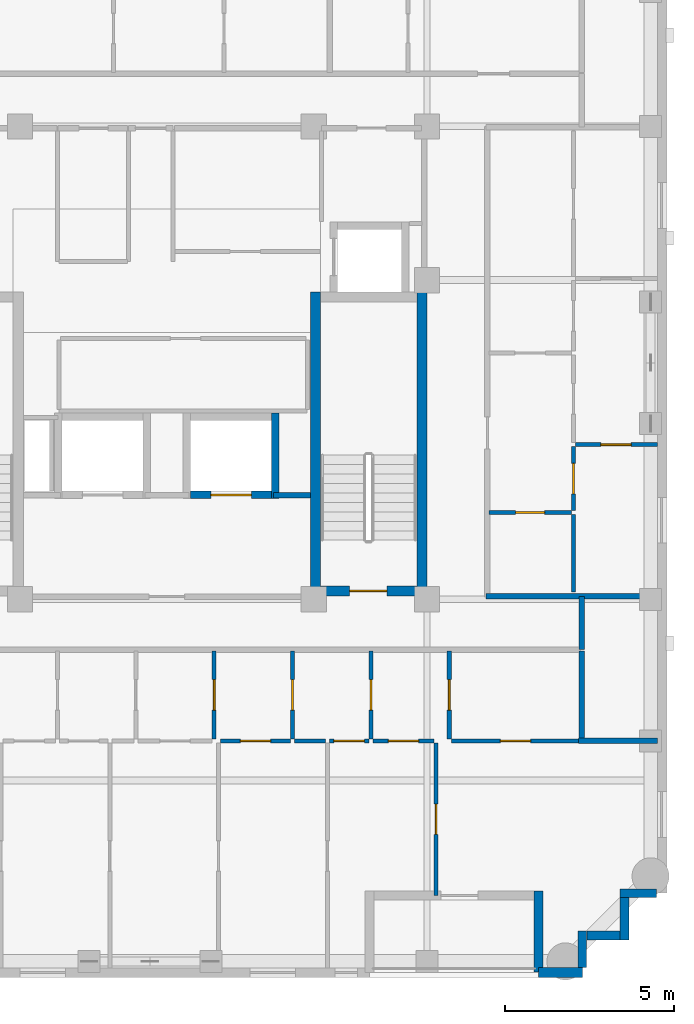
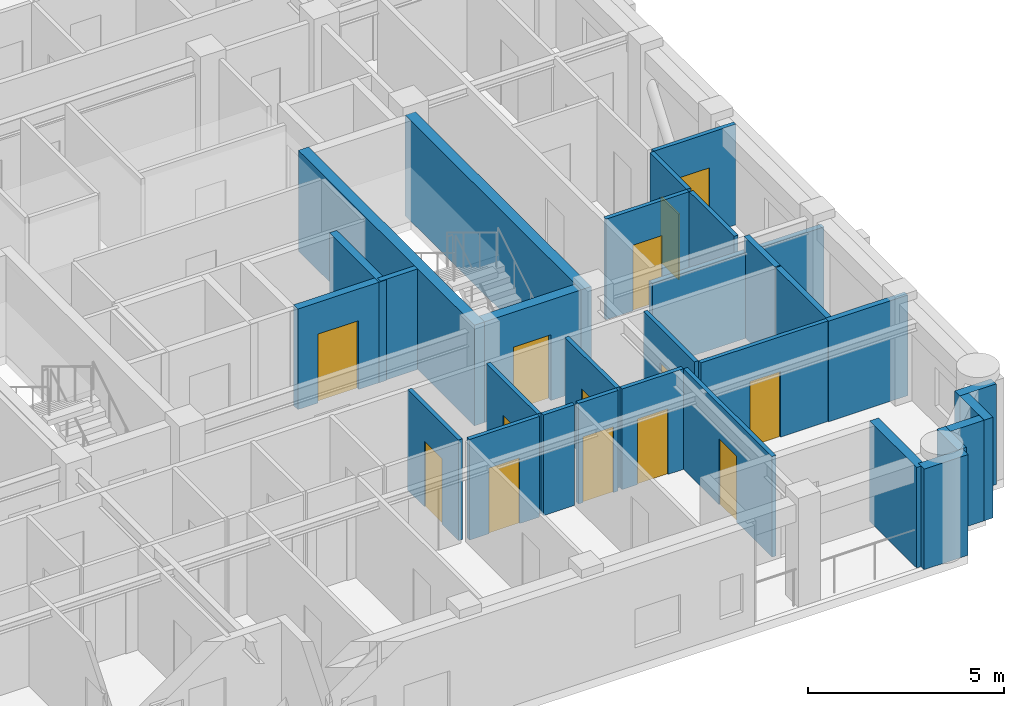
# One storey, part 4 of 11: 30 walls, 14 doors, 14 openings.
"""IFC4 building model written with IfcOpenShell, lengths in metres."""

from ifc_helpers import new_model, si_unit, derived_unit, direction, frame, frame_2d, origin, place, context, subcontext, project, spatial, rectangle, extrude, material, layer, layer_set, type_object, element, fill, save


model = new_model("IFC4")

# Units and contexts
model_context = context("Model", 3, precision=1e-05, world=origin(), true_north=direction((0.0, 1.0)))
body_context = subcontext(model_context, "Body", "Model", "MODEL_VIEW")
ifc_project = project(units=[si_unit("LENGTHUNIT", "METRE"), si_unit("AREAUNIT", "SQUARE_METRE"), si_unit("VOLUMEUNIT", "CUBIC_METRE"), si_unit("PLANEANGLEUNIT", "RADIAN"), si_unit("MASSUNIT", "GRAM", prefix="KILO"), derived_unit("THERMALTRANSMITTANCEUNIT", [(si_unit("MASSUNIT", "GRAM", prefix="KILO"), 1), (si_unit("TIMEUNIT", "SECOND"), -3), (si_unit("THERMODYNAMICTEMPERATUREUNIT", "KELVIN"), -1)])], contexts=[model_context])

# Site, building, storey
site_placement = place(None, origin())
site = spatial("IfcSite", under=ifc_project, at=site_placement, CompositionType="ELEMENT")
building_placement = place(site_placement, origin())
building = spatial("IfcBuilding", under=site, at=building_placement, Name="Korrvale Station Residences", CompositionType="ELEMENT")
storey_placement = place(building_placement, frame((0.0, 0.0, 224.10009765625)))
storey = spatial("IfcBuildingStorey", under=building, at=storey_placement, Name="L65", CompositionType="ELEMENT", Elevation=224.10009765625)

# Walls
ifc_material_1 = material(Name="Concrete C50/60", Category="concrete")
ifc_layer_1 = layer(ifc_material_1, 0.300048828125, Name="Concrete C50/60")
ifc_layer_set_1 = layer_set([ifc_layer_1], Name="Concrete C50/60")
wall_type_1 = type_object("IfcWallType", Name="WAL-CORE-300-C50", PredefinedType="SHEAR", material=ifc_layer_set_1)
for number, where, z_axis, x_axis, name in (
    (1, (29.89990234375, 15.10009765625, 0.0), (0.0, 0.0, 1.0), (0.0, 1.0, 0.0), "L65 ST-2 Core Shear Wall West"),
    (2, (33.050048828125, 15.10009765625, 0.0), (0.0, 0.0, 1.0), (0.0, 1.0, 0.0), "L65 ST-2 Core Shear Wall East"),
):
    element("IfcWall", number, at=place(storey_placement, frame(where, z_axis=z_axis, x_axis=x_axis)), inside=storey, type_object=wall_type_1, Name=name, PredefinedType="SHEAR", context=body_context, shape_type="SweptSolid", body=[
        extrude(rectangle(XDim=9.0, YDim=0.300048828125, at=frame_2d((4.5, 0.0))), origin(), (0.0, 0.0, 1.0), 3.139892578125),
    ])

# Wall, opening, door
wall_1_placement = place(storey_placement, frame((30.050048828125, 15.25, 0.0), z_axis=(0.0, 0.0, 1.0), x_axis=(1.0, 0.0, 0.0)))
wall_1 = element("IfcWall", 3, at=wall_1_placement, inside=storey, type_object=wall_type_1, Name="L65 ST-2 Core Shear Wall South", PredefinedType="SHEAR", context=body_context, shape_type="SweptSolid", body=[
    extrude(rectangle(XDim=2.849853515625, YDim=0.300048828125, at=frame_2d((1.4248046875, 0.0))), origin(), (0.0, 0.0, 1.0), 3.139892578125),
])
opening_1_placement = place(wall_1_placement, frame((0.860107421875, 0.0, 0.0)))
opening_1 = element("IfcOpeningElement", 4, at=opening_1_placement, cuts=wall_1, Name="Opening SD-1100", PredefinedType="OPENING", context=body_context, shape_type="SweptSolid", body=[
    extrude(rectangle(XDim=1.10009765625, YDim=2.050048828125, at=frame_2d((0.550048828125, 1.02490234375))), frame((0.0, 0.16015625, 0.0), z_axis=(0.0, -1.0, 0.0), x_axis=(1.0, 0.0, 0.0)), (0.0, 0.0, 1.0), 0.320068359375),
])
ifc_material_2 = material(Name="Hollow-metal fire-rated stair door with closer", Category="steel")
door_type_1 = type_object("IfcDoorType", Name="DR-STAIR-1100", OperationType="NOTDEFINED", PredefinedType="DOOR", material=ifc_material_2)
door_1_placement = place(opening_1_placement, origin())
door_1 = element("IfcDoor", 5, at=door_1_placement, inside=storey, type_object=door_type_1, Name="L65 ST-2 Exit Stair Door", OperationType="SINGLE_SWING_RIGHT", OverallHeight=2.050048828125, OverallWidth=1.10009765625, PredefinedType="DOOR", context=body_context, shape_type="SweptSolid", body=[
    extrude(rectangle(XDim=1.10009765625, YDim=2.050048828125, at=frame_2d((0.550048828125, 1.02490234375))), frame((0.0, 0.02490234375, 0.0), z_axis=(0.0, -1.0, 0.0), x_axis=(1.0, 0.0, 0.0)), (0.0, 0.0, 1.0), 0.050048828125),
])
fill(opening_1, door_1)

# Walls
ifc_material_3 = material(Name="Precast concrete C45/55", Category="concrete")
ifc_layer_2 = layer(ifc_material_3, 0.260009765625, Name="Precast concrete C45/55")
ifc_layer_set_2 = layer_set([ifc_layer_2], Name="Precast concrete C45/55")
wall_type_2 = type_object("IfcWallType", Name="WAL-EXT-LOG260", PredefinedType="SOLIDWALL", material=ifc_layer_set_2)
wall_2_placement = place(storey_placement, frame((36.5, 3.9599609375, 0.0), z_axis=(0.0, 0.0, 1.0), x_axis=(0.0, 1.0, 0.0)))
element("IfcWall", 6, at=wall_2_placement, inside=storey, type_object=wall_type_2, Name="L65 Recessed Loggia Wall BAL-L65-S2-L", PredefinedType="SOLIDWALL", context=body_context, shape_type="SweptSolid", body=[
    extrude(rectangle(XDim=2.400146484375, YDim=0.260009765625, at=frame_2d((1.2001953125, 0.0))), origin(), (0.0, 0.0, 1.0), 3.139892578125),
])
wall_3_placement = place(storey_placement, frame((39.998046875, 6.300048828125, 0.0), z_axis=(0.0, 0.0, 1.0), x_axis=(-1.0, 0.0, 0.0)))
element("IfcWall", 7, at=wall_3_placement, inside=storey, type_object=wall_type_2, Name="L65 Serrated Corner Precast Step SE-1", PredefinedType="SOLIDWALL", context=body_context, shape_type="SweptSolid", body=[
    extrude(rectangle(XDim=1.078125, YDim=0.260009765625, at=frame_2d((0.5390625, 0.0))), origin(), (0.0, 0.0, 1.0), 3.139892578125),
])
wall_4_placement = place(storey_placement, frame((39.050048828125, 6.16796875, 0.0), z_axis=(0.0, 0.0, 1.0), x_axis=(0.0, -1.0, 0.0)))
element("IfcWall", 8, at=wall_4_placement, inside=storey, type_object=wall_type_2, Name="L65 Serrated Corner Precast Step SE-2", PredefinedType="SOLIDWALL", context=body_context, shape_type="SweptSolid", body=[
    extrude(rectangle(XDim=1.248046875, YDim=0.260009765625, at=frame_2d((0.6240234375, 0.0))), origin(), (0.0, 0.0, 1.0), 3.139892578125),
])
wall_5_placement = place(storey_placement, frame((38.91796875, 5.050048828125, 0.0), z_axis=(0.0, 0.0, 1.0), x_axis=(-1.0, 0.0, 0.0)))
element("IfcWall", 9, at=wall_5_placement, inside=storey, type_object=wall_type_2, Name="L65 Serrated Corner Precast Step SE-3", PredefinedType="SOLIDWALL", context=body_context, shape_type="SweptSolid", body=[
    extrude(rectangle(XDim=0.986083984375, YDim=0.260009765625, at=frame_2d((0.4931640625, 0.0))), origin(), (0.0, 0.0, 1.0), 3.139892578125),
])
wall_6_placement = place(storey_placement, frame((37.800048828125, 5.179931640625, 0.0), z_axis=(0.0, 0.0, 1.0), x_axis=(0.0, -1.0, 0.0)))
element("IfcWall", 10, at=wall_6_placement, inside=storey, type_object=wall_type_2, Name="L65 Serrated Corner Precast Step SE-4", PredefinedType="SOLIDWALL", context=body_context, shape_type="SweptSolid", body=[
    extrude(rectangle(XDim=1.077880859375, YDim=0.260009765625, at=frame_2d((0.5390625, 0.0))), origin(), (0.0, 0.0, 1.0), 3.139892578125),
])
ifc_layer_3 = layer(ifc_material_3, 0.300048828125, Name="Precast concrete C45/55")
ifc_layer_set_3 = layer_set([ifc_layer_3], Name="Precast concrete C45/55")
wall_type_3 = type_object("IfcWallType", Name="WAL-EXT-PC300", PredefinedType="SOLIDWALL", material=ifc_layer_set_3)
wall_7_placement = place(storey_placement, frame((37.800048828125, 3.949951171875, 0.0), z_axis=(0.0, 0.0, 1.0), x_axis=(-1.0, 0.0, 0.0)))
element("IfcWall", 11, at=wall_7_placement, inside=storey, type_object=wall_type_3, Name="L65 South Exterior Precast Wall 1", PredefinedType="SOLIDWALL", context=body_context, shape_type="SweptSolid", body=[
    extrude(rectangle(XDim=1.300048828125, YDim=0.300048828125, at=frame_2d((0.64990234375, 0.0))), origin(), (0.0, 0.0, 1.0), 3.139892578125),
])

# Wall, opening, door
ifc_material_4 = material(Name="Acoustic steel-stud gypsum board partition", Category="steel")
ifc_layer_4 = layer(ifc_material_4, 0.1201171875, Name="Acoustic steel-stud gypsum board partition")
ifc_layer_set_4 = layer_set([ifc_layer_4], Name="Acoustic steel-stud gypsum board partition")
wall_type_4 = type_object("IfcWallType", Name="WAL-PART-125", PredefinedType="PARTITIONING", material=ifc_layer_set_4)
wall_8_placement = place(storey_placement, frame((26.89990234375, 10.8701171875, 0.0), z_axis=(0.0, 0.0, 1.0), x_axis=(0.0, 1.0, 0.0)))
wall_8 = element("IfcWall", 12, at=wall_8_placement, inside=storey, type_object=wall_type_4, Name="L65 Suite Partition U01-V45", PredefinedType="PARTITIONING", context=body_context, shape_type="SweptSolid", body=[
    extrude(rectangle(XDim=2.599853515625, YDim=0.1201171875, at=frame_2d((1.2998046875, 0.0))), origin(), (0.0, 0.0, 1.0), 3.139892578125),
])
opening_2_placement = place(wall_8_placement, frame((0.85009765625, 0.0, 0.0)))
opening_2 = element("IfcOpeningElement", 13, at=opening_2_placement, cuts=wall_8, Name="Opening DI-900", PredefinedType="OPENING", context=body_context, shape_type="SweptSolid", body=[
    extrude(rectangle(XDim=0.89990234375, YDim=2.050048828125, at=frame_2d((0.449951171875, 1.02490234375))), frame((0.0, 0.070068359375, 0.0), z_axis=(0.0, -1.0, 0.0), x_axis=(1.0, 0.0, 0.0)), (0.0, 0.0, 1.0), 0.14013671875),
])
ifc_material_5 = material(Name="Painted solid-core timber interior room door", Category="wood")
door_type_2 = type_object("IfcDoorType", Name="DR-INT-900", OperationType="NOTDEFINED", PredefinedType="DOOR", material=ifc_material_5)
door_2_placement = place(opening_2_placement, origin())
door_2 = element("IfcDoor", 14, at=door_2_placement, inside=storey, type_object=door_type_2, Name="L65 Studio Apartment L65-U01 Wardrobe Storage Room Door", OperationType="SINGLE_SWING_LEFT", OverallHeight=2.050048828125, OverallWidth=0.89990234375, PredefinedType="DOOR", context=body_context, shape_type="SweptSolid", body=[
    extrude(rectangle(XDim=0.89990234375, YDim=2.050048828125, at=frame_2d((0.449951171875, 1.02490234375))), frame((0.0, 0.02490234375, 0.0), z_axis=(0.0, -1.0, 0.0), x_axis=(1.0, 0.0, 0.0)), (0.0, 0.0, 1.0), 0.050048828125),
])
fill(opening_2, door_2)

wall_9_placement = place(storey_placement, frame((29.219970703125, 10.8701171875, 0.0), z_axis=(0.0, 0.0, 1.0), x_axis=(0.0, 1.0, 0.0)))
wall_9 = element("IfcWall", 15, at=wall_9_placement, inside=storey, type_object=wall_type_4, Name="L65 Suite Partition U01-V56", PredefinedType="PARTITIONING", context=body_context, shape_type="SweptSolid", body=[
    extrude(rectangle(XDim=2.599853515625, YDim=0.1201171875, at=frame_2d((1.2998046875, 0.0))), origin(), (0.0, 0.0, 1.0), 3.139892578125),
])
opening_3_placement = place(wall_9_placement, frame((0.85009765625, 0.0, 0.0)))
opening_3 = element("IfcOpeningElement", 16, at=opening_3_placement, cuts=wall_9, Name="Opening DI-900", PredefinedType="OPENING", context=body_context, shape_type="SweptSolid", body=[
    extrude(rectangle(XDim=0.89990234375, YDim=2.050048828125, at=frame_2d((0.449951171875, 1.02490234375))), frame((0.0, 0.070068359375, 0.0), z_axis=(0.0, -1.0, 0.0), x_axis=(1.0, 0.0, 0.0)), (0.0, 0.0, 1.0), 0.14013671875),
])
door_3_placement = place(opening_3_placement, origin())
door_3 = element("IfcDoor", 17, at=door_3_placement, inside=storey, type_object=door_type_2, Name="L65 Studio Apartment L65-U01 Wardrobe Storage Room Door", OperationType="SINGLE_SWING_LEFT", OverallHeight=2.050048828125, OverallWidth=0.89990234375, PredefinedType="DOOR", context=body_context, shape_type="SweptSolid", body=[
    extrude(rectangle(XDim=0.89990234375, YDim=2.050048828125, at=frame_2d((0.449951171875, 1.02490234375))), frame((0.0, 0.02490234375, 0.0), z_axis=(0.0, -1.0, 0.0), x_axis=(1.0, 0.0, 0.0)), (0.0, 0.0, 1.0), 0.050048828125),
])
fill(opening_3, door_3)

wall_10_placement = place(storey_placement, frame((27.090087890625, 10.81005859375, 0.0), z_axis=(0.0, 0.0, 1.0), x_axis=(1.0, 0.0, 0.0)))
wall_10 = element("IfcWall", 18, at=wall_10_placement, inside=storey, type_object=wall_type_4, Name="L65 Suite Partition U01-H514", PredefinedType="PARTITIONING", context=body_context, shape_type="SweptSolid", body=[
    extrude(rectangle(XDim=2.06982421875, YDim=0.1201171875, at=frame_2d((1.034912109375, 0.0))), origin(), (0.0, 0.0, 1.0), 3.139892578125),
])
opening_4_placement = place(wall_10_placement, frame((0.5849609375, 0.0, 0.0)))
opening_4 = element("IfcOpeningElement", 19, at=opening_4_placement, cuts=wall_10, Name="Opening DI-900", PredefinedType="OPENING", context=body_context, shape_type="SweptSolid", body=[
    extrude(rectangle(XDim=0.89990234375, YDim=2.050048828125, at=frame_2d((0.449951171875, 1.02490234375))), frame((0.0, 0.070068359375, 0.0), z_axis=(0.0, -1.0, 0.0), x_axis=(1.0, 0.0, 0.0)), (0.0, 0.0, 1.0), 0.14013671875),
])
door_4_placement = place(opening_4_placement, origin())
door_4 = element("IfcDoor", 20, at=door_4_placement, inside=storey, type_object=door_type_2, Name="L65 Studio Apartment L65-U01 Wardrobe Storage Room Door", OperationType="SINGLE_SWING_RIGHT", OverallHeight=2.050048828125, OverallWidth=0.89990234375, PredefinedType="DOOR", context=body_context, shape_type="SweptSolid", body=[
    extrude(rectangle(XDim=0.89990234375, YDim=2.050048828125, at=frame_2d((0.449951171875, 1.02490234375))), frame((0.0, 0.02490234375, 0.0), z_axis=(0.0, -1.0, 0.0), x_axis=(1.0, 0.0, 0.0)), (0.0, 0.0, 1.0), 0.050048828125),
])
fill(opening_4, door_4)

wall_11_placement = place(storey_placement, frame((31.5400390625, 10.8701171875, 0.0), z_axis=(0.0, 0.0, 1.0), x_axis=(0.0, 1.0, 0.0)))
wall_11 = element("IfcWall", 21, at=wall_11_placement, inside=storey, type_object=wall_type_4, Name="L65 Suite Partition U01-V67", PredefinedType="PARTITIONING", context=body_context, shape_type="SweptSolid", body=[
    extrude(rectangle(XDim=2.599853515625, YDim=0.1201171875, at=frame_2d((1.2998046875, 0.0))), origin(), (0.0, 0.0, 1.0), 3.139892578125),
])
opening_5_placement = place(wall_11_placement, frame((0.85009765625, 0.0, 0.0)))
opening_5 = element("IfcOpeningElement", 22, at=opening_5_placement, cuts=wall_11, Name="Opening DI-900", PredefinedType="OPENING", context=body_context, shape_type="SweptSolid", body=[
    extrude(rectangle(XDim=0.89990234375, YDim=2.050048828125, at=frame_2d((0.449951171875, 1.02490234375))), frame((0.0, 0.070068359375, 0.0), z_axis=(0.0, -1.0, 0.0), x_axis=(1.0, 0.0, 0.0)), (0.0, 0.0, 1.0), 0.14013671875),
])
door_5_placement = place(opening_5_placement, origin())
door_5 = element("IfcDoor", 23, at=door_5_placement, inside=storey, type_object=door_type_2, Name="L65 Studio Apartment L65-U01 Wardrobe Storage Room Door", OperationType="SINGLE_SWING_LEFT", OverallHeight=2.050048828125, OverallWidth=0.89990234375, PredefinedType="DOOR", context=body_context, shape_type="SweptSolid", body=[
    extrude(rectangle(XDim=0.89990234375, YDim=2.050048828125, at=frame_2d((0.449951171875, 1.02490234375))), frame((0.0, 0.02490234375, 0.0), z_axis=(0.0, -1.0, 0.0), x_axis=(1.0, 0.0, 0.0)), (0.0, 0.0, 1.0), 0.050048828125),
])
fill(opening_5, door_5)

# Wall
wall_12_placement = place(storey_placement, frame((29.280029296875, 10.81005859375, 0.0), z_axis=(0.0, 0.0, 1.0), x_axis=(1.0, 0.0, 0.0)))
element("IfcWall", 24, at=wall_12_placement, inside=storey, type_object=wall_type_4, Name="L65 Suite Partition U01-H614", PredefinedType="PARTITIONING", context=body_context, shape_type="SweptSolid", body=[
    extrude(rectangle(XDim=0.909912109375, YDim=0.1201171875, at=frame_2d((0.455078125, 0.0))), origin(), (0.0, 0.0, 1.0), 3.139892578125),
])

# Wall, opening, door
wall_13_placement = place(storey_placement, frame((30.31005859375, 10.81005859375, 0.0), z_axis=(0.0, 0.0, 1.0), x_axis=(1.0, 0.0, 0.0)))
wall_13 = element("IfcWall", 25, at=wall_13_placement, inside=storey, type_object=wall_type_4, Name="L65 Suite Partition U01-H615", PredefinedType="PARTITIONING", context=body_context, shape_type="SweptSolid", body=[
    extrude(rectangle(XDim=1.169921875, YDim=0.1201171875, at=frame_2d((0.5849609375, 0.0))), origin(), (0.0, 0.0, 1.0), 3.139892578125),
])
opening_6_placement = place(wall_13_placement, frame((0.135009765625, 0.0, 0.0)))
opening_6 = element("IfcOpeningElement", 26, at=opening_6_placement, cuts=wall_13, Name="Opening DI-900", PredefinedType="OPENING", context=body_context, shape_type="SweptSolid", body=[
    extrude(rectangle(XDim=0.89990234375, YDim=2.050048828125, at=frame_2d((0.449951171875, 1.02490234375))), frame((0.0, 0.070068359375, 0.0), z_axis=(0.0, -1.0, 0.0), x_axis=(1.0, 0.0, 0.0)), (0.0, 0.0, 1.0), 0.14013671875),
])
door_6_placement = place(opening_6_placement, origin())
door_6 = element("IfcDoor", 27, at=door_6_placement, inside=storey, type_object=door_type_2, Name="L65 Studio Apartment L65-U01 Wardrobe Storage Room Door", OperationType="SINGLE_SWING_RIGHT", OverallHeight=2.050048828125, OverallWidth=0.89990234375, PredefinedType="DOOR", context=body_context, shape_type="SweptSolid", body=[
    extrude(rectangle(XDim=0.89990234375, YDim=2.050048828125, at=frame_2d((0.449951171875, 1.02490234375))), frame((0.0, 0.02490234375, 0.0), z_axis=(0.0, -1.0, 0.0), x_axis=(1.0, 0.0, 0.0)), (0.0, 0.0, 1.0), 0.050048828125),
])
fill(opening_6, door_6)

wall_14_placement = place(storey_placement, frame((33.860107421875, 10.8701171875, 0.0), z_axis=(0.0, 0.0, 1.0), x_axis=(0.0, 1.0, 0.0)))
wall_14 = element("IfcWall", 28, at=wall_14_placement, inside=storey, type_object=wall_type_4, Name="L65 Suite Partition U01-V78", PredefinedType="PARTITIONING", context=body_context, shape_type="SweptSolid", body=[
    extrude(rectangle(XDim=2.599853515625, YDim=0.1201171875, at=frame_2d((1.2998046875, 0.0))), origin(), (0.0, 0.0, 1.0), 3.139892578125),
])
opening_7_placement = place(wall_14_placement, frame((0.85009765625, 0.0, 0.0)))
opening_7 = element("IfcOpeningElement", 29, at=opening_7_placement, cuts=wall_14, Name="Opening DI-900", PredefinedType="OPENING", context=body_context, shape_type="SweptSolid", body=[
    extrude(rectangle(XDim=0.89990234375, YDim=2.050048828125, at=frame_2d((0.449951171875, 1.02490234375))), frame((0.0, 0.070068359375, 0.0), z_axis=(0.0, -1.0, 0.0), x_axis=(1.0, 0.0, 0.0)), (0.0, 0.0, 1.0), 0.14013671875),
])
door_7_placement = place(opening_7_placement, origin())
door_7 = element("IfcDoor", 30, at=door_7_placement, inside=storey, type_object=door_type_2, Name="L65 Studio Apartment L65-U01 Wardrobe Storage Room Door", OperationType="SINGLE_SWING_LEFT", OverallHeight=2.050048828125, OverallWidth=0.89990234375, PredefinedType="DOOR", context=body_context, shape_type="SweptSolid", body=[
    extrude(rectangle(XDim=0.89990234375, YDim=2.050048828125, at=frame_2d((0.449951171875, 1.02490234375))), frame((0.0, 0.02490234375, 0.0), z_axis=(0.0, -1.0, 0.0), x_axis=(1.0, 0.0, 0.0)), (0.0, 0.0, 1.0), 0.050048828125),
])
fill(opening_7, door_7)

wall_15_placement = place(storey_placement, frame((31.60009765625, 10.81005859375, 0.0), z_axis=(0.0, 0.0, 1.0), x_axis=(1.0, 0.0, 0.0)))
wall_15 = element("IfcWall", 31, at=wall_15_placement, inside=storey, type_object=wall_type_4, Name="L65 Suite Partition U01-H715", PredefinedType="PARTITIONING", context=body_context, shape_type="SweptSolid", body=[
    extrude(rectangle(XDim=1.809814453125, YDim=0.1201171875, at=frame_2d((0.90478515625, 0.0))), origin(), (0.0, 0.0, 1.0), 3.139892578125),
])
opening_8_placement = place(wall_15_placement, frame((0.455078125, 0.0, 0.0)))
opening_8 = element("IfcOpeningElement", 32, at=opening_8_placement, cuts=wall_15, Name="Opening DI-900", PredefinedType="OPENING", context=body_context, shape_type="SweptSolid", body=[
    extrude(rectangle(XDim=0.89990234375, YDim=2.050048828125, at=frame_2d((0.449951171875, 1.02490234375))), frame((0.0, 0.070068359375, 0.0), z_axis=(0.0, -1.0, 0.0), x_axis=(1.0, 0.0, 0.0)), (0.0, 0.0, 1.0), 0.14013671875),
])
door_8_placement = place(opening_8_placement, origin())
door_8 = element("IfcDoor", 33, at=door_8_placement, inside=storey, type_object=door_type_2, Name="L65 Studio Apartment L65-U01 Wardrobe Storage Room Door", OperationType="SINGLE_SWING_RIGHT", OverallHeight=2.050048828125, OverallWidth=0.89990234375, PredefinedType="DOOR", context=body_context, shape_type="SweptSolid", body=[
    extrude(rectangle(XDim=0.89990234375, YDim=2.050048828125, at=frame_2d((0.449951171875, 1.02490234375))), frame((0.0, 0.02490234375, 0.0), z_axis=(0.0, -1.0, 0.0), x_axis=(1.0, 0.0, 0.0)), (0.0, 0.0, 1.0), 0.050048828125),
])
fill(opening_8, door_8)

wall_16_placement = place(storey_placement, frame((33.919921875, 10.81005859375, 0.0), z_axis=(0.0, 0.0, 1.0), x_axis=(1.0, 0.0, 0.0)))
wall_16 = element("IfcWall", 34, at=wall_16_placement, inside=storey, type_object=wall_type_4, Name="L65 Suite Partition U01-H816", PredefinedType="PARTITIONING", context=body_context, shape_type="SweptSolid", body=[
    extrude(rectangle(XDim=3.800048828125, YDim=0.1201171875, at=frame_2d((1.89990234375, 0.0))), origin(), (0.0, 0.0, 1.0), 3.139892578125),
])
opening_9_placement = place(wall_16_placement, frame((1.449951171875, 0.0, 0.0)))
opening_9 = element("IfcOpeningElement", 35, at=opening_9_placement, cuts=wall_16, Name="Opening DI-900", PredefinedType="OPENING", context=body_context, shape_type="SweptSolid", body=[
    extrude(rectangle(XDim=0.89990234375, YDim=2.050048828125, at=frame_2d((0.449951171875, 1.02490234375))), frame((0.0, 0.070068359375, 0.0), z_axis=(0.0, -1.0, 0.0), x_axis=(1.0, 0.0, 0.0)), (0.0, 0.0, 1.0), 0.14013671875),
])
door_9_placement = place(opening_9_placement, origin())
door_9 = element("IfcDoor", 36, at=door_9_placement, inside=storey, type_object=door_type_2, Name="L65 Studio Apartment L65-U01 Utility and Laundry Room Door", OperationType="SINGLE_SWING_LEFT", OverallHeight=2.050048828125, OverallWidth=0.89990234375, PredefinedType="DOOR", context=body_context, shape_type="SweptSolid", body=[
    extrude(rectangle(XDim=0.89990234375, YDim=2.050048828125, at=frame_2d((0.449951171875, 1.02490234375))), frame((0.0, 0.02490234375, 0.0), z_axis=(0.0, -1.0, 0.0), x_axis=(1.0, 0.0, 0.0)), (0.0, 0.0, 1.0), 0.050048828125),
])
fill(opening_9, door_9)

wall_17_placement = place(storey_placement, frame((33.469970703125, 6.22998046875, 0.0), z_axis=(0.0, 0.0, 1.0), x_axis=(0.0, 1.0, 0.0)))
wall_17 = element("IfcWall", 37, at=wall_17_placement, inside=storey, type_object=wall_type_4, Name="L65 Suite Partition U01-V1516", PredefinedType="PARTITIONING", context=body_context, shape_type="SweptSolid", body=[
    extrude(rectangle(XDim=4.52001953125, YDim=0.1201171875, at=frame_2d((2.260009765625, 0.0))), origin(), (0.0, 0.0, 1.0), 3.139892578125),
])
opening_10_placement = place(wall_17_placement, frame((1.81005859375, 0.0, 0.0)))
opening_10 = element("IfcOpeningElement", 38, at=opening_10_placement, cuts=wall_17, Name="Opening DI-900", PredefinedType="OPENING", context=body_context, shape_type="SweptSolid", body=[
    extrude(rectangle(XDim=0.89990234375, YDim=2.050048828125, at=frame_2d((0.449951171875, 1.02490234375))), frame((0.0, 0.070068359375, 0.0), z_axis=(0.0, -1.0, 0.0), x_axis=(1.0, 0.0, 0.0)), (0.0, 0.0, 1.0), 0.14013671875),
])
door_10_placement = place(opening_10_placement, origin())
door_10 = element("IfcDoor", 39, at=door_10_placement, inside=storey, type_object=door_type_2, Name="L65 Studio Apartment L65-U01 Formal Dining Room Door", OperationType="SINGLE_SWING_RIGHT", OverallHeight=2.050048828125, OverallWidth=0.89990234375, PredefinedType="DOOR", context=body_context, shape_type="SweptSolid", body=[
    extrude(rectangle(XDim=0.89990234375, YDim=2.050048828125, at=frame_2d((0.449951171875, 1.02490234375))), frame((0.0, 0.02490234375, 0.0), z_axis=(0.0, -1.0, 0.0), x_axis=(1.0, 0.0, 0.0)), (0.0, 0.0, 1.0), 0.050048828125),
])
fill(opening_10, door_10)

wall_18_placement = place(storey_placement, frame((35.030029296875, 17.570068359375, 0.0), z_axis=(0.0, 0.0, 1.0), x_axis=(1.0, 0.0, 0.0)))
wall_18 = element("IfcWall", 40, at=wall_18_placement, inside=storey, type_object=wall_type_4, Name="L65 Suite Partition U05-H12", PredefinedType="PARTITIONING", context=body_context, shape_type="SweptSolid", body=[
    extrude(rectangle(XDim=2.449951171875, YDim=0.1201171875, at=frame_2d((1.22509765625, 0.0))), origin(), (0.0, 0.0, 1.0), 3.139892578125),
])
opening_11_placement = place(wall_18_placement, frame((0.794921875, 0.0, 0.0)))
opening_11 = element("IfcOpeningElement", 41, at=opening_11_placement, cuts=wall_18, Name="Opening DB-860", PredefinedType="OPENING", context=body_context, shape_type="SweptSolid", body=[
    extrude(rectangle(XDim=0.860107421875, YDim=2.050048828125, at=frame_2d((0.43017578125, 1.02490234375))), frame((0.0, 0.070068359375, 0.0), z_axis=(0.0, -1.0, 0.0), x_axis=(1.0, 0.0, 0.0)), (0.0, 0.0, 1.0), 0.14013671875),
])
ifc_material_6 = material(Name="Moisture-resistant solid-core bathroom door", Category="timber")
door_type_3 = type_object("IfcDoorType", Name="DR-BATH-860", OperationType="NOTDEFINED", PredefinedType="DOOR", material=ifc_material_6)
door_11_placement = place(opening_11_placement, origin())
door_11 = element("IfcDoor", 42, at=door_11_placement, inside=storey, type_object=door_type_3, Name="L65 Apartment 2BR L65-U05 Bathroom Door", OperationType="SINGLE_SWING_RIGHT", OverallHeight=2.050048828125, OverallWidth=0.860107421875, PredefinedType="DOOR", context=body_context, shape_type="SweptSolid", body=[
    extrude(rectangle(XDim=0.860107421875, YDim=2.050048828125, at=frame_2d((0.43017578125, 1.02490234375))), frame((0.0, 0.02490234375, 0.0), z_axis=(0.0, -1.0, 0.0), x_axis=(1.0, 0.0, 0.0)), (0.0, 0.0, 1.0), 0.050048828125),
])
fill(opening_11, door_11)

# Wall
wall_19_placement = place(storey_placement, frame((37.5400390625, 15.2099609375, 0.0), z_axis=(0.0, 0.0, 1.0), x_axis=(0.0, 1.0, 0.0)))
element("IfcWall", 43, at=wall_19_placement, inside=storey, type_object=wall_type_4, Name="L65 Suite Partition U05-V13", PredefinedType="PARTITIONING", context=body_context, shape_type="SweptSolid", body=[
    extrude(rectangle(XDim=2.300048828125, YDim=0.1201171875, at=frame_2d((1.14990234375, 0.0))), origin(), (0.0, 0.0, 1.0), 3.139892578125),
])

# Wall, opening, door
wall_20_placement = place(storey_placement, frame((37.5400390625, 17.6298828125, 0.0), z_axis=(0.0, 0.0, 1.0), x_axis=(0.0, 1.0, 0.0)))
wall_20 = element("IfcWall", 44, at=wall_20_placement, inside=storey, type_object=wall_type_4, Name="L65 Suite Partition U05-V23", PredefinedType="PARTITIONING", context=body_context, shape_type="SweptSolid", body=[
    extrude(rectangle(XDim=1.88818359375, YDim=0.1201171875, at=frame_2d((0.944091796875, 0.0))), origin(), (0.0, 0.0, 1.0), 3.139892578125),
])
opening_12_placement = place(wall_20_placement, frame((0.493896484375, 0.0, 0.0)))
opening_12 = element("IfcOpeningElement", 45, at=opening_12_placement, cuts=wall_20, Name="Opening DI-900", PredefinedType="OPENING", context=body_context, shape_type="SweptSolid", body=[
    extrude(rectangle(XDim=0.89990234375, YDim=2.050048828125, at=frame_2d((0.449951171875, 1.02490234375))), frame((0.0, 0.070068359375, 0.0), z_axis=(0.0, -1.0, 0.0), x_axis=(1.0, 0.0, 0.0)), (0.0, 0.0, 1.0), 0.14013671875),
])
door_12_placement = place(opening_12_placement, origin())
door_12 = element("IfcDoor", 46, at=door_12_placement, inside=storey, type_object=door_type_2, Name="L65 Apartment 2BR L65-U05 Kitchen Door", OperationType="SINGLE_SWING_LEFT", OverallHeight=2.050048828125, OverallWidth=0.89990234375, PredefinedType="DOOR", context=body_context, shape_type="SweptSolid", body=[
    extrude(rectangle(XDim=0.89990234375, YDim=2.050048828125, at=frame_2d((0.449951171875, 1.02490234375))), frame((0.0, 0.02490234375, 0.0), z_axis=(0.0, -1.0, 0.0), x_axis=(1.0, 0.0, 0.0)), (0.0, 0.0, 1.0), 0.050048828125),
])
fill(opening_12, door_12)

wall_21_placement = place(storey_placement, frame((37.60009765625, 19.577880859375, 0.0), z_axis=(0.0, 0.0, 1.0), x_axis=(1.0, 0.0, 0.0)))
wall_21 = element("IfcWall", 47, at=wall_21_placement, inside=storey, type_object=wall_type_4, Name="L65 Suite Partition U05-H34", PredefinedType="PARTITIONING", context=body_context, shape_type="SweptSolid", body=[
    extrude(rectangle(XDim=2.419921875, YDim=0.1201171875, at=frame_2d((1.2099609375, 0.0))), origin(), (0.0, 0.0, 1.0), 3.139892578125),
])
opening_13_placement = place(wall_21_placement, frame((0.7451171875, 0.0, 0.0)))
opening_13 = element("IfcOpeningElement", 48, at=opening_13_placement, cuts=wall_21, Name="Opening DI-900", PredefinedType="OPENING", context=body_context, shape_type="SweptSolid", body=[
    extrude(rectangle(XDim=0.89990234375, YDim=2.050048828125, at=frame_2d((0.449951171875, 1.02490234375))), frame((0.0, 0.070068359375, 0.0), z_axis=(0.0, -1.0, 0.0), x_axis=(1.0, 0.0, 0.0)), (0.0, 0.0, 1.0), 0.14013671875),
])
door_13_placement = place(opening_13_placement, origin())
door_13 = element("IfcDoor", 49, at=door_13_placement, inside=storey, type_object=door_type_2, Name="L65 Apartment 2BR L65-U05 Bedroom 1 Door", OperationType="SINGLE_SWING_LEFT", OverallHeight=2.050048828125, OverallWidth=0.89990234375, PredefinedType="DOOR", context=body_context, shape_type="SweptSolid", body=[
    extrude(rectangle(XDim=0.89990234375, YDim=2.050048828125, at=frame_2d((0.449951171875, 1.02490234375))), frame((0.0, 0.02490234375, 0.0), z_axis=(0.0, -1.0, 0.0), x_axis=(1.0, 0.0, 0.0)), (0.0, 0.0, 1.0), 0.050048828125),
])
fill(opening_13, door_13)

# Walls
ifc_material_7 = material(Name="Fire-rated twin-stud gypsum and mineral wool shaftwall assembly", Category="gypsum")
ifc_layer_5 = layer(ifc_material_7, 0.159912109375, Name="Fire-rated twin-stud gypsum and mineral wool shaftwall assembly")
ifc_layer_set_5 = layer_set([ifc_layer_5], Name="Fire-rated twin-stud gypsum and mineral wool shaftwall assembly")
wall_type_5 = type_object("IfcWallType", Name="WAL-PART-200", PredefinedType="PARTITIONING", material=ifc_layer_set_5)
wall_22_placement = place(storey_placement, frame((28.64990234375, 18.080078125, 0.0), z_axis=(0.0, 0.0, 1.0), x_axis=(1.0, 0.0, 0.0)))
element("IfcWall", 50, at=wall_22_placement, inside=storey, type_object=wall_type_5, Name="L65 Core Partition CW-FFL-N3", PredefinedType="PARTITIONING", context=body_context, shape_type="SweptSolid", body=[
    extrude(rectangle(XDim=1.10009765625, YDim=0.159912109375, at=frame_2d((0.550048828125, 0.0))), origin(), (0.0, 0.0, 1.0), 3.139892578125),
])
wall_23_placement = place(storey_placement, frame((37.780029296875, 13.510009765625, 0.0), z_axis=(0.0, 0.0, 1.0), x_axis=(0.0, 1.0, 0.0)))
element("IfcWall", 51, at=wall_23_placement, inside=storey, type_object=wall_type_5, Name="L65 Corridor South East Cap", PredefinedType="PARTITIONING", context=body_context, shape_type="SweptSolid", body=[
    extrude(rectangle(XDim=1.580078125, YDim=0.159912109375, at=frame_2d((0.7900390625, 0.0))), origin(), (0.0, 0.0, 1.0), 3.139892578125),
])
wall_24_placement = place(storey_placement, frame((34.949951171875, 15.090087890625, 0.0), z_axis=(0.0, 0.0, 1.0), x_axis=(1.0, 0.0, 0.0)))
element("IfcWall", 52, at=wall_24_placement, inside=storey, type_object=wall_type_5, Name="L65 East Wing South Corridor Wall", PredefinedType="PARTITIONING", context=body_context, shape_type="SweptSolid", body=[
    extrude(rectangle(XDim=5.070068359375, YDim=0.159912109375, at=frame_2d((2.53515625, 0.0))), origin(), (0.0, 0.0, 1.0), 2.66796875),
])
wall_25_placement = place(storey_placement, frame((37.679931640625, 10.81005859375, 0.0), z_axis=(0.0, 0.0, 1.0), x_axis=(1.0, 0.0, 0.0)))
element("IfcWall", 53, at=wall_25_placement, inside=storey, type_object=wall_type_5, Name="L65 Corner Step Wall U01-R", PredefinedType="PARTITIONING", context=body_context, shape_type="SweptSolid", body=[
    extrude(rectangle(XDim=2.340087890625, YDim=0.159912109375, at=frame_2d((1.169921875, 0.0))), origin(), (0.0, 0.0, 1.0), 3.139892578125),
])
wall_26_placement = place(storey_placement, frame((37.780029296875, 10.81005859375, 0.0), z_axis=(0.0, 0.0, 1.0), x_axis=(0.0, 1.0, 0.0)))
element("IfcWall", 54, at=wall_26_placement, inside=storey, type_object=wall_type_5, Name="L65 Corner Step Cheek U01-R", PredefinedType="PARTITIONING", context=body_context, shape_type="SweptSolid", body=[
    extrude(rectangle(XDim=2.659912109375, YDim=0.159912109375, at=frame_2d((1.330078125, 0.0))), origin(), (0.0, 0.0, 1.0), 3.139892578125),
])

# Wall, opening, door
ifc_layer_6 = layer(ifc_material_1, 0.219970703125, Name="Concrete C50/60")
ifc_layer_set_6 = layer_set([ifc_layer_6], Name="Concrete C50/60")
wall_type_6 = type_object("IfcWallType", Name="WAL-SHAFT-220-C50", PredefinedType="SHEAR", material=ifc_layer_set_6)
wall_27_placement = place(storey_placement, frame((26.199951171875, 18.090087890625, 0.0), z_axis=(0.0, 0.0, 1.0), x_axis=(1.0, 0.0, 0.0)))
wall_27 = element("IfcWall", 55, at=wall_27_placement, inside=storey, type_object=wall_type_6, Name="L65 Elevator FFL-2 Hoistway Wall South", PredefinedType="SHEAR", context=body_context, shape_type="SweptSolid", body=[
    extrude(rectangle(XDim=2.400146484375, YDim=0.219970703125, at=frame_2d((1.2001953125, 0.0))), origin(), (0.0, 0.0, 1.0), 3.139892578125),
])
opening_14_placement = place(wall_27_placement, frame((0.60009765625, 0.0, 0.0)))
opening_14 = element("IfcOpeningElement", 56, at=opening_14_placement, cuts=wall_27, Name="Opening LD-FF1200", PredefinedType="OPENING", context=body_context, shape_type="SweptSolid", body=[
    extrude(rectangle(XDim=1.199951171875, YDim=2.14990234375, at=frame_2d((0.60009765625, 1.074951171875))), frame((0.0, 0.1201171875, 0.0), z_axis=(0.0, -1.0, 0.0), x_axis=(1.0, 0.0, 0.0)), (0.0, 0.0, 1.0), 0.239990234375),
])
ifc_material_8 = material(Name="Stainless-steel firefighter elevator landing sliding door", Category="steel")
door_type_4 = type_object("IfcDoorType", Name="DR-LIFT-FF1200", OperationType="SLIDING_TO_LEFT", PredefinedType="DOOR", material=ifc_material_8)
door_14_placement = place(opening_14_placement, origin())
door_14 = element("IfcDoor", 57, at=door_14_placement, inside=storey, type_object=door_type_4, Name="L65 Elevator FFL-2 Sliding Landing Door", OperationType="SLIDING_TO_LEFT", OverallHeight=2.14990234375, OverallWidth=1.199951171875, PredefinedType="DOOR", context=body_context, shape_type="SweptSolid", body=[
    extrude(rectangle(XDim=1.199951171875, YDim=2.14990234375, at=frame_2d((0.60009765625, 1.074951171875))), frame((0.0, 0.02490234375, 0.0), z_axis=(0.0, -1.0, 0.0), x_axis=(1.0, 0.0, 0.0)), (0.0, 0.0, 1.0), 0.050048828125),
])
fill(opening_14, door_14)

# Wall
wall_28_placement = place(storey_placement, frame((28.7099609375, 17.97998046875, 0.0), z_axis=(0.0, 0.0, 1.0), x_axis=(0.0, 1.0, 0.0)))
element("IfcWall", 58, at=wall_28_placement, inside=storey, type_object=wall_type_6, Name="L65 Elevator FFL-2 Hoistway Wall East", PredefinedType="SHEAR", context=body_context, shape_type="SweptSolid", body=[
    extrude(rectangle(XDim=2.5400390625, YDim=0.219970703125, at=frame_2d((1.27001953125, 0.0))), origin(), (0.0, 0.0, 1.0), 3.139892578125),
])

save(model, "model.ifc")
